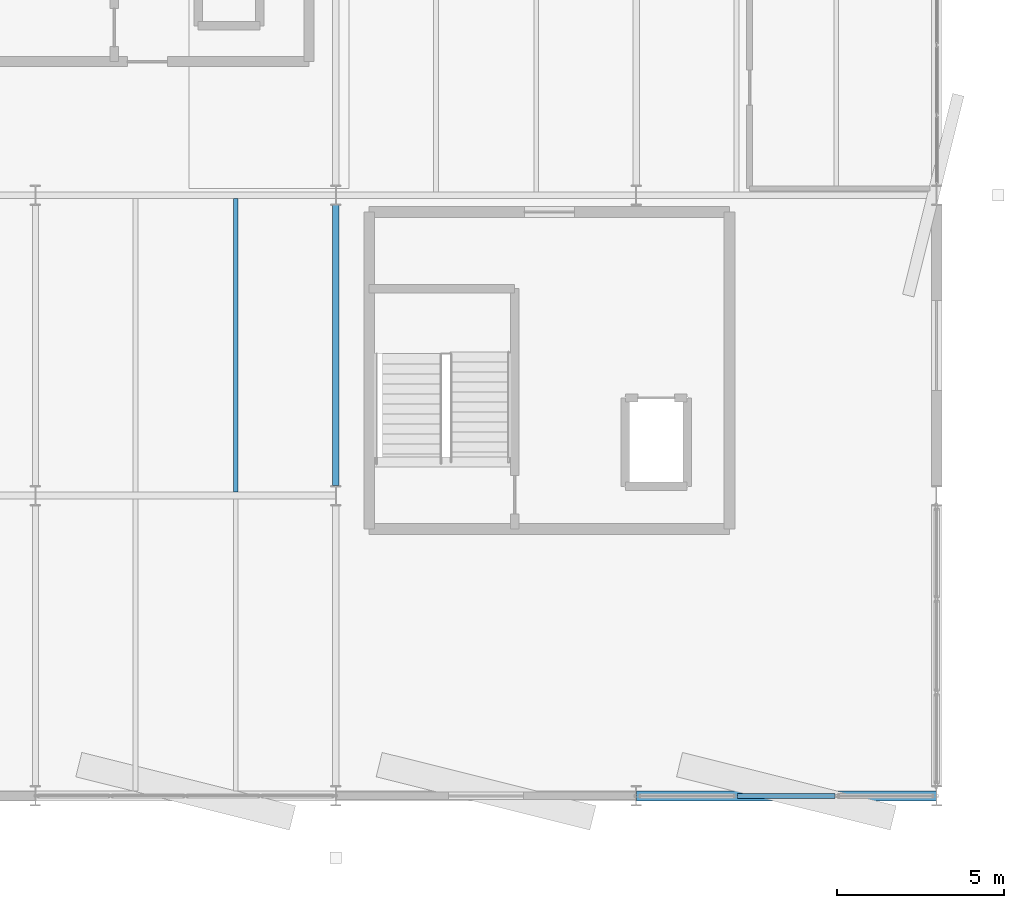
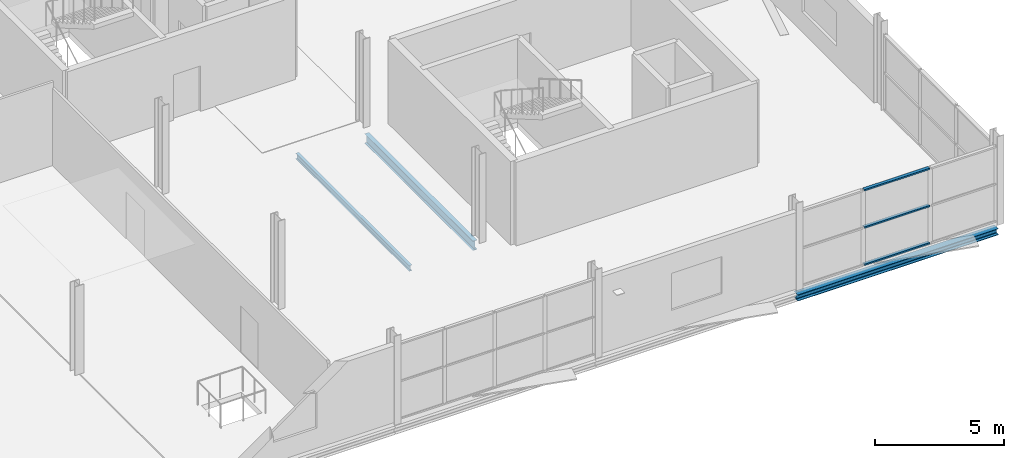
# One storey, part 48 of 88: 3 beams, 3 members, 1 element without a shape of its own.
"""IFC4 building model written with IfcOpenShell, lengths in metres."""

from ifc_helpers import new_model, si_unit, direction, frame, origin, origin_2d, place, context, subcontext, project, spatial, hollow_rectangle, i_section, extrude, material, layer, layer_set, material_profile, profile_set, type_object, element, aggregate, save


model = new_model("IFC4")

# Units and contexts
model_context = context("Model", 3, precision=1e-05, world=origin(), true_north=direction((0.0, 1.0)))
body_context = subcontext(model_context, "Body", "Model", "MODEL_VIEW")
ifc_project = project(units=[si_unit("LENGTHUNIT", "METRE"), si_unit("AREAUNIT", "SQUARE_METRE"), si_unit("VOLUMEUNIT", "CUBIC_METRE"), si_unit("PLANEANGLEUNIT", "RADIAN"), si_unit("MASSUNIT", "GRAM", prefix="KILO")], contexts=[model_context])

# Site, building, storey
site_placement = place(None, origin())
site = spatial("IfcSite", under=ifc_project, at=site_placement, CompositionType="ELEMENT")
building_placement = place(site_placement, origin())
building = spatial("IfcBuilding", under=site, at=building_placement, Name="Deido Ridge Mobility Hub", CompositionType="ELEMENT")
storey_placement = place(building_placement, frame((0.0, 0.0, 16.800048828125)))
storey = spatial("IfcBuildingStorey", under=building, at=storey_placement, Name="L04", CompositionType="ELEMENT", Elevation=16.800048828125)

# Beams
ifc_material_1 = material(Name="Steel S355J2 EN 10025-2", Category="steel")
ifc_material_profile_1 = material_profile(ifc_material_1, i_section(OverallWidth=0.18994140625, OverallDepth=0.449951171875, WebThickness=0.009521484375, FlangeThickness=0.0146484375, FilletRadius=0.02099609375, at=origin_2d()), Name="IPE 450")
ifc_profile_set_1 = profile_set([ifc_material_profile_1], Name="Steel S355J2 EN 10025-2")
beam_type_1 = type_object("IfcBeamType", Name="BM-IPE450", PredefinedType="BEAM", material=ifc_profile_set_1)
beam_1_placement = place(storey_placement, frame((162.0, 9.300048828125, -0.5), z_axis=(0.0, 1.0, 0.0), x_axis=(-1.0, 0.0, 0.0)))
element("IfcBeam", 1, at=beam_1_placement, inside=storey, type_object=beam_type_1, Name="Floor beam B4", PredefinedType="BEAM", context=body_context, shape_type="SweptSolid", body=[
    extrude(i_section(OverallWidth=0.18994140625, OverallDepth=0.449951171875, WebThickness=0.009521484375, FlangeThickness=0.0146484375, FilletRadius=0.02099609375, at=origin_2d()), origin(), (0.0, 0.0, 1.0), 8.39990234375),
])
ifc_material_profile_2 = material_profile(ifc_material_1, i_section(OverallWidth=0.135009765625, OverallDepth=0.27001953125, WebThickness=0.006591796875, FlangeThickness=0.01025390625, FilletRadius=0.014892578125, at=origin_2d()), Name="IPE 270")
ifc_profile_set_2 = profile_set([ifc_material_profile_2], Name="Steel S355J2 EN 10025-2")
beam_type_2 = type_object("IfcBeamType", Name="JST-IPE270", PredefinedType="JOIST", material=ifc_profile_set_2)
beam_2_placement = place(storey_placement, frame((159.0, 9.10009765625, -0.41015625), z_axis=(0.0, 1.0, 0.0), x_axis=(-1.0, 0.0, 0.0)))
element("IfcBeam", 2, at=beam_2_placement, inside=storey, type_object=beam_type_2, Name="Composite joist J4", PredefinedType="JOIST", context=body_context, shape_type="SweptSolid", body=[
    extrude(i_section(OverallWidth=0.135009765625, OverallDepth=0.27001953125, WebThickness=0.006591796875, FlangeThickness=0.01025390625, FilletRadius=0.014892578125, at=origin_2d()), origin(), (0.0, 0.0, 1.0), 8.7998046875),
])

# Curtain wall, members
ifc_material_2 = material(Name="Anodised aluminium EN AW-6063 T6", Category="aluminium")
ifc_layer = layer(ifc_material_2, 0.22509765625, Name="Anodised aluminium EN AW-6063 T6")
ifc_layer_set = layer_set([ifc_layer], Name="Anodised aluminium EN AW-6063 T6")
curtain_wall_type = type_object("IfcCurtainWallType", Name="CW-UF-5", PredefinedType="USERDEFINED", material=ifc_layer_set)
curtain_wall_placement = place(storey_placement, origin())
curtain_wall = element("IfcCurtainWall", 3, at=curtain_wall_placement, inside=storey, type_object=curtain_wall_type, Name="Unitised curtain wall CW5", ObjectType="UNITISED FACADE", PredefinedType="USERDEFINED")
ifc_material_profile_3 = material_profile(ifc_material_2, hollow_rectangle(XDim=0.14501953125, YDim=0.070068359375, WallThickness=0.00390625, at=origin_2d()), Name="RHS 145x70x4")
ifc_profile_set_3 = profile_set([ifc_material_profile_3], Name="Anodised aluminium EN AW-6063 T6")
member_type = type_object("IfcMemberType", Name="MEM-TRN-145X70", PredefinedType="USERDEFINED", material=ifc_profile_set_3)
member_1_placement = place(storey_placement, frame((174.03759765625, 0.0, 0.034912109375), z_axis=(1.0, 0.0, 0.0), x_axis=(0.0, 1.0, 0.0)))
member_1 = element("IfcMember", 4, at=member_1_placement, type_object=member_type, Name="CW5 transom 2.1", ObjectType="TRANSOM", PredefinedType="USERDEFINED", context=body_context, shape_type="SweptSolid", body=[
    extrude(hollow_rectangle(XDim=0.14501953125, YDim=0.070068359375, WallThickness=0.00390625, at=origin_2d()), origin(), (0.0, 0.0, 1.0), 2.9248046875),
])
member_2_placement = place(storey_placement, frame((174.03759765625, 0.0, 1.800048828125), z_axis=(1.0, 0.0, 0.0), x_axis=(0.0, 1.0, 0.0)))
member_2 = element("IfcMember", 5, at=member_2_placement, type_object=member_type, Name="CW5 transom 2.2", ObjectType="TRANSOM", PredefinedType="USERDEFINED", context=body_context, shape_type="SweptSolid", body=[
    extrude(hollow_rectangle(XDim=0.14501953125, YDim=0.070068359375, WallThickness=0.00390625, at=origin_2d()), origin(), (0.0, 0.0, 1.0), 2.9248046875),
])
member_3_placement = place(storey_placement, frame((174.03759765625, 0.0, 3.56494140625), z_axis=(1.0, 0.0, 0.0), x_axis=(0.0, 1.0, 0.0)))
member_3 = element("IfcMember", 6, at=member_3_placement, type_object=member_type, Name="CW5 transom 2.3", ObjectType="TRANSOM", PredefinedType="USERDEFINED", context=body_context, shape_type="SweptSolid", body=[
    extrude(hollow_rectangle(XDim=0.14501953125, YDim=0.070068359375, WallThickness=0.00390625, at=origin_2d()), origin(), (0.0, 0.0, 1.0), 2.9248046875),
])
aggregate(curtain_wall, [member_1, member_2, member_3])

# Beam
ifc_material_profile_4 = material_profile(ifc_material_1, i_section(OverallWidth=0.300048828125, OverallDepth=0.300048828125, WebThickness=0.010986328125, FlangeThickness=0.01904296875, FilletRadius=0.027099609375, at=origin_2d()), Name="HEB 300")
ifc_profile_set_4 = profile_set([ifc_material_profile_4], Name="Steel S355J2 EN 10025-2")
beam_type_3 = type_object("IfcBeamType", Name="SPD-HEB300", PredefinedType="SPANDREL", material=ifc_profile_set_4)
beam_3_placement = place(storey_placement, frame((171.0078125, 0.0, -0.425048828125), z_axis=(1.0, 0.0, 0.0), x_axis=(0.0, 1.0, 0.0)))
element("IfcBeam", 7, at=beam_3_placement, inside=storey, type_object=beam_type_3, Name="Floor beam SP1", PredefinedType="SPANDREL", context=body_context, shape_type="SweptSolid", body=[
    extrude(i_section(OverallWidth=0.300048828125, OverallDepth=0.300048828125, WebThickness=0.010986328125, FlangeThickness=0.01904296875, FilletRadius=0.027099609375, at=origin_2d()), origin(), (0.0, 0.0, 1.0), 8.984375),
])

save(model, "model.ifc")
